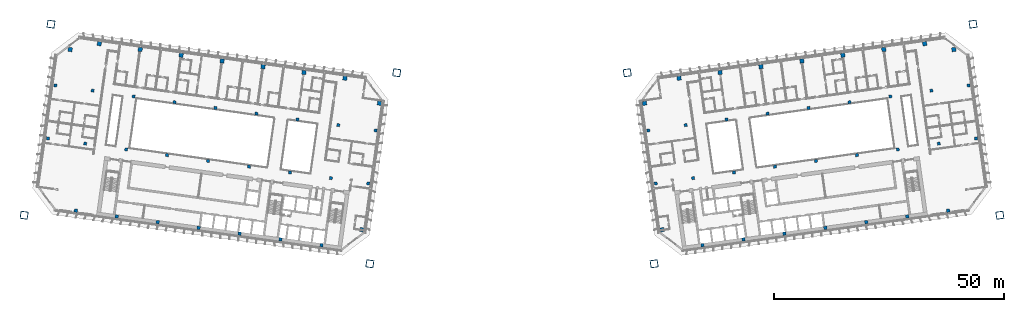
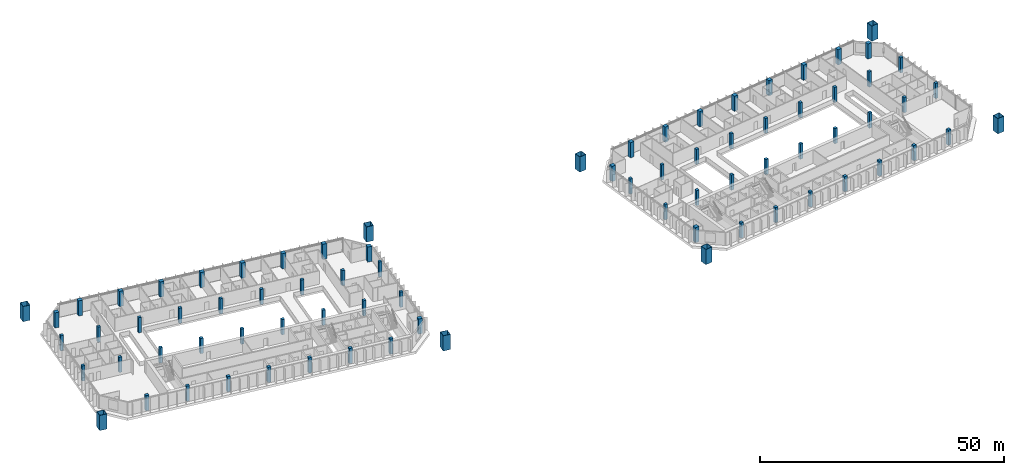
# One storey, part 1 of 25: 78 columns.
"""IFC4 building model written with IfcOpenShell, lengths in metres."""

from ifc_helpers import new_model, si_unit, direction, frame, origin, origin_2d, place, context, subcontext, project, spatial, rectangle, hollow_rectangle, extrude, material, material_profile, profile_set, type_object, element, save


model = new_model("IFC4")

# Units and contexts
model_context = context("Model", 3, precision=1e-05, world=origin(), true_north=direction((0.0, 1.0)))
body_context = subcontext(model_context, "Body", "Model", "MODEL_VIEW")
ifc_project = project(units=[si_unit("LENGTHUNIT", "METRE"), si_unit("AREAUNIT", "SQUARE_METRE"), si_unit("VOLUMEUNIT", "CUBIC_METRE"), si_unit("PLANEANGLEUNIT", "RADIAN"), si_unit("MASSUNIT", "GRAM", prefix="KILO")], contexts=[model_context])

# Site, building, storey
site_placement = place(None, origin())
site = spatial("IfcSite", under=ifc_project, at=site_placement, CompositionType="ELEMENT")
building_placement = place(site_placement, origin())
building = spatial("IfcBuilding", under=site, at=building_placement, Name="Mirante Cascada Hotel Towers", CompositionType="ELEMENT")
storey_placement = place(building_placement, frame((0.0, 0.0, 102.5)))
storey = spatial("IfcBuildingStorey", under=building, at=storey_placement, Name="L22", CompositionType="ELEMENT", Elevation=102.5)

# Columns
ifc_material_1 = material(Name="Steel ASTM A572 Gr 50", Category="steel")
ifc_material_profile_1 = material_profile(ifc_material_1, hollow_rectangle(XDim=1.6, YDim=1.6, WallThickness=0.07, at=origin_2d()), Name="Box column 1600x1600x70 ASTM A572 Gr 50")
ifc_profile_set_1 = profile_set([ifc_material_profile_1], Name="Steel ASTM A572 Gr 50")
column_type_1 = type_object("IfcColumnType", Name="Box column 1600x1600x70 ASTM A572 Gr 50", PredefinedType="COLUMN", material=ifc_profile_set_1)
for number, where, z_axis, x_axis, name in (
    (1, (-25.0968, 18.5173, 0.0), (0.0, 0.0, 1.0), (-0.9902681, 0.1391731, 0.0), "Mega column MC1 T1 L22"),
    (2, (-30.9421, -23.074, 0.0), (0.0, 0.0, 1.0), (-0.9902681, 0.1391731, 0.0), "Mega column MC2 T1 L22"),
    (3, (-100.3572, 29.0944, 0.0), (0.0, 0.0, 1.0), (-0.9902681, 0.1391731, 0.0), "Mega column MC3 T1 L22"),
    (4, (-106.2025, -12.4968, 0.0), (0.0, 0.0, 1.0), (-0.9902681, 0.1391731, 0.0), "Mega column MC4 T1 L22"),
    (5, (25.0968, 18.5173, 0.0), (0.0, 0.0, 1.0), (0.9902681, 0.1391731, 0.0), "Mega column MC1 T2 L22"),
    (6, (30.9421, -23.074, 0.0), (0.0, 0.0, 1.0), (0.9902681, 0.1391731, 0.0), "Mega column MC2 T2 L22"),
    (7, (100.3572, 29.0944, 0.0), (0.0, 0.0, 1.0), (0.9902681, 0.1391731, 0.0), "Mega column MC3 T2 L22"),
    (8, (106.2025, -12.4968, 0.0), (0.0, 0.0, 1.0), (0.9902681, 0.1391731, 0.0), "Mega column MC4 T2 L22"),
):
    element("IfcColumn", number, at=place(storey_placement, frame(where, z_axis=z_axis, x_axis=x_axis)), inside=storey, type_object=column_type_1, Name=name, PredefinedType="COLUMN", context=body_context, shape_type="SweptSolid", body=[
        extrude(hollow_rectangle(XDim=1.6, YDim=1.6, WallThickness=0.07, at=origin_2d()), origin(), (0.0, 0.0, 1.0), 3.8),
    ])
ifc_material_2 = material(Name="Concrete C60/75", Category="concrete")
ifc_material_profile_2 = material_profile(ifc_material_2, rectangle(XDim=0.65, YDim=0.65, at=origin_2d()), Name="RC column 650x650 C60/75")
ifc_profile_set_2 = profile_set([ifc_material_profile_2], Name="Concrete C60/75")
column_type_2 = type_object("IfcColumnType", Name="RC column 650x650 C60/75", PredefinedType="COLUMN", material=ifc_profile_set_2)
for number, where, z_axis, x_axis, name in (
    (9, (-29.6893, 5.9592, 0.0), (0.0, 0.0, 1.0), (-0.9902681, 0.1391731, 0.0), "Column T1 L22 2"),
    (10, (-31.3106, -5.5774, 0.0), (0.0, 0.0, 1.0), (-0.9902681, 0.1391731, 0.0), "Column T1 L22 3"),
    (11, (-37.8095, 7.1004, 0.0), (0.0, 0.0, 1.0), (-0.9902681, 0.1391731, 0.0), "Column T1 L22 6"),
    (12, (-39.4308, -4.4362, 0.0), (0.0, 0.0, 1.0), (-0.9902681, 0.1391731, 0.0), "Column T1 L22 7"),
    (13, (-46.7219, 8.353, 0.0), (0.0, 0.0, 1.0), (-0.9902681, 0.1391731, 0.0), "Column T1 L22 10"),
    (14, (-48.3432, -3.1836, 0.0), (0.0, 0.0, 1.0), (-0.9902681, 0.1391731, 0.0), "Column T1 L22 11"),
    (15, (-55.6343, 9.6055, 0.0), (0.0, 0.0, 1.0), (-0.9902681, 0.1391731, 0.0), "Column T1 L22 14"),
    (16, (-57.2557, -1.9311, 0.0), (0.0, 0.0, 1.0), (-0.9902681, 0.1391731, 0.0), "Column T1 L22 15"),
    (17, (-64.5467, 10.8581, 0.0), (0.0, 0.0, 1.0), (-0.9902681, 0.1391731, 0.0), "Column T1 L22 18"),
    (18, (-66.1681, -0.6785, 0.0), (0.0, 0.0, 1.0), (-0.9902681, 0.1391731, 0.0), "Column T1 L22 19"),
    (19, (-73.4591, 12.1107, 0.0), (0.0, 0.0, 1.0), (-0.9902681, 0.1391731, 0.0), "Column T1 L22 22"),
    (20, (-75.0805, 0.574, 0.0), (0.0, 0.0, 1.0), (-0.9902681, 0.1391731, 0.0), "Column T1 L22 23"),
    (21, (-82.3715, 13.3632, 0.0), (0.0, 0.0, 1.0), (-0.9902681, 0.1391731, 0.0), "Column T1 L22 26"),
    (22, (-83.9929, 1.8266, 0.0), (0.0, 0.0, 1.0), (-0.9902681, 0.1391731, 0.0), "Column T1 L22 27"),
    (23, (-91.2839, 14.6158, 0.0), (0.0, 0.0, 1.0), (-0.9902681, 0.1391731, 0.0), "Column T1 L22 30"),
    (24, (-92.9053, 3.0792, 0.0), (0.0, 0.0, 1.0), (-0.9902681, 0.1391731, 0.0), "Column T1 L22 31"),
    (25, (-99.4041, 15.757, 0.0), (0.0, 0.0, 1.0), (-0.9902681, 0.1391731, 0.0), "Column T1 L22 34"),
    (26, (-101.0255, 4.2204, 0.0), (0.0, 0.0, 1.0), (-0.9902681, 0.1391731, 0.0), "Column T1 L22 35"),
    (27, (29.6893, 5.9592, 0.0), (0.0, 0.0, 1.0), (0.9902681, 0.1391731, 0.0), "Column T2 L22 2"),
    (28, (31.3106, -5.5774, 0.0), (0.0, 0.0, 1.0), (0.9902681, 0.1391731, 0.0), "Column T2 L22 3"),
    (29, (37.8095, 7.1004, 0.0), (0.0, 0.0, 1.0), (0.9902681, 0.1391731, 0.0), "Column T2 L22 6"),
    (30, (39.4308, -4.4362, 0.0), (0.0, 0.0, 1.0), (0.9902681, 0.1391731, 0.0), "Column T2 L22 7"),
    (31, (46.7219, 8.353, 0.0), (0.0, 0.0, 1.0), (0.9902681, 0.1391731, 0.0), "Column T2 L22 10"),
    (32, (48.3432, -3.1836, 0.0), (0.0, 0.0, 1.0), (0.9902681, 0.1391731, 0.0), "Column T2 L22 11"),
    (33, (55.6343, 9.6055, 0.0), (0.0, 0.0, 1.0), (0.9902681, 0.1391731, 0.0), "Column T2 L22 14"),
    (34, (57.2557, -1.9311, 0.0), (0.0, 0.0, 1.0), (0.9902681, 0.1391731, 0.0), "Column T2 L22 15"),
    (35, (64.5467, 10.8581, 0.0), (0.0, 0.0, 1.0), (0.9902681, 0.1391731, 0.0), "Column T2 L22 18"),
    (36, (66.1681, -0.6785, 0.0), (0.0, 0.0, 1.0), (0.9902681, 0.1391731, 0.0), "Column T2 L22 19"),
    (37, (73.4591, 12.1107, 0.0), (0.0, 0.0, 1.0), (0.9902681, 0.1391731, 0.0), "Column T2 L22 22"),
    (38, (75.0805, 0.574, 0.0), (0.0, 0.0, 1.0), (0.9902681, 0.1391731, 0.0), "Column T2 L22 23"),
    (39, (82.3715, 13.3632, 0.0), (0.0, 0.0, 1.0), (0.9902681, 0.1391731, 0.0), "Column T2 L22 26"),
    (40, (83.9929, 1.8266, 0.0), (0.0, 0.0, 1.0), (0.9902681, 0.1391731, 0.0), "Column T2 L22 27"),
    (41, (91.2839, 14.6158, 0.0), (0.0, 0.0, 1.0), (0.9902681, 0.1391731, 0.0), "Column T2 L22 30"),
    (42, (92.9053, 3.0792, 0.0), (0.0, 0.0, 1.0), (0.9902681, 0.1391731, 0.0), "Column T2 L22 31"),
    (43, (99.4041, 15.757, 0.0), (0.0, 0.0, 1.0), (0.9902681, 0.1391731, 0.0), "Column T2 L22 34"),
    (44, (101.0255, 4.2204, 0.0), (0.0, 0.0, 1.0), (0.9902681, 0.1391731, 0.0), "Column T2 L22 35"),
):
    element("IfcColumn", number, at=place(storey_placement, frame(where, z_axis=z_axis, x_axis=x_axis)), inside=storey, type_object=column_type_2, Name=name, PredefinedType="COLUMN", context=body_context, shape_type="SweptSolid", body=[
        extrude(rectangle(XDim=0.65, YDim=0.65, at=origin_2d()), origin(), (0.0, 0.0, 1.0), 3.8),
    ])
ifc_material_3 = material(Name="Concrete C60/75", Category="concrete")
ifc_material_profile_3 = material_profile(ifc_material_3, rectangle(XDim=0.7, YDim=0.7, at=origin_2d()), Name="RC column 700x700 C60/75")
ifc_profile_set_3 = profile_set([ifc_material_profile_3], Name="Concrete C60/75")
column_type_3 = type_object("IfcColumnType", Name="RC column 700x700 C60/75", PredefinedType="COLUMN", material=ifc_profile_set_3)
for number, where, z_axis, x_axis, name in (
    (45, (-41.4802, -19.0179, 0.0), (0.0, 0.0, 1.0), (-0.9902681, 0.1391731, 0.0), "Column T1 L22 8"),
    (46, (-50.3926, -17.7653, 0.0), (0.0, 0.0, 1.0), (-0.9902681, 0.1391731, 0.0), "Column T1 L22 12"),
    (47, (-59.305, -16.5128, 0.0), (0.0, 0.0, 1.0), (-0.9902681, 0.1391731, 0.0), "Column T1 L22 16"),
    (48, (-68.2174, -15.2602, 0.0), (0.0, 0.0, 1.0), (-0.9902681, 0.1391731, 0.0), "Column T1 L22 20"),
    (49, (-77.1298, -14.0077, 0.0), (0.0, 0.0, 1.0), (-0.9902681, 0.1391731, 0.0), "Column T1 L22 24"),
    (50, (-86.0422, -12.7551, 0.0), (0.0, 0.0, 1.0), (-0.9902681, 0.1391731, 0.0), "Column T1 L22 28"),
    (51, (-94.9546, -11.5025, 0.0), (0.0, 0.0, 1.0), (-0.9902681, 0.1391731, 0.0), "Column T1 L22 32"),
    (52, (41.4802, -19.0179, 0.0), (0.0, 0.0, 1.0), (0.9902681, 0.1391731, 0.0), "Column T2 L22 8"),
    (53, (50.3926, -17.7653, 0.0), (0.0, 0.0, 1.0), (0.9902681, 0.1391731, 0.0), "Column T2 L22 12"),
    (54, (59.305, -16.5128, 0.0), (0.0, 0.0, 1.0), (0.9902681, 0.1391731, 0.0), "Column T2 L22 16"),
    (55, (68.2174, -15.2602, 0.0), (0.0, 0.0, 1.0), (0.9902681, 0.1391731, 0.0), "Column T2 L22 20"),
    (56, (77.1298, -14.0077, 0.0), (0.0, 0.0, 1.0), (0.9902681, 0.1391731, 0.0), "Column T2 L22 24"),
    (57, (86.0422, -12.7551, 0.0), (0.0, 0.0, 1.0), (0.9902681, 0.1391731, 0.0), "Column T2 L22 28"),
    (58, (94.9546, -11.5025, 0.0), (0.0, 0.0, 1.0), (0.9902681, 0.1391731, 0.0), "Column T2 L22 32"),
):
    element("IfcColumn", number, at=place(storey_placement, frame(where, z_axis=z_axis, x_axis=x_axis)), inside=storey, type_object=column_type_3, Name=name, PredefinedType="COLUMN", context=body_context, shape_type="SweptSolid", body=[
        extrude(rectangle(XDim=0.7, YDim=0.7, at=origin_2d()), origin(), (0.0, 0.0, 1.0), 3.8),
    ])
ifc_material_4 = material(Name="Concrete C60/75", Category="concrete")
ifc_material_profile_4 = material_profile(ifc_material_4, rectangle(XDim=0.9, YDim=0.9, at=origin_2d()), Name="RC column 900x900 C60/75")
ifc_profile_set_4 = profile_set([ifc_material_profile_4], Name="Concrete C60/75")
column_type_4 = type_object("IfcColumnType", Name="RC column 900x900 C60/75", PredefinedType="COLUMN", material=ifc_profile_set_4)
for number, where, z_axis, x_axis, name in (
    (59, (-28.8577, 11.8761, 0.0), (0.0, 0.0, 1.0), (-0.9902681, 0.1391731, 0.0), "Column T1 L22 1"),
    (60, (-32.7267, -15.6534, 0.0), (0.0, 0.0, 1.0), (-0.9902681, 0.1391731, 0.0), "Column T1 L22 4"),
    (61, (-36.3725, 17.325, 0.0), (0.0, 0.0, 1.0), (-0.9902681, 0.1391731, 0.0), "Column T1 L22 5"),
    (62, (-45.2849, 18.5775, 0.0), (0.0, 0.0, 1.0), (-0.9902681, 0.1391731, 0.0), "Column T1 L22 9"),
    (63, (-54.1973, 19.8301, 0.0), (0.0, 0.0, 1.0), (-0.9902681, 0.1391731, 0.0), "Column T1 L22 13"),
    (64, (-63.1097, 21.0826, 0.0), (0.0, 0.0, 1.0), (-0.9902681, 0.1391731, 0.0), "Column T1 L22 17"),
    (65, (-72.0222, 22.3352, 0.0), (0.0, 0.0, 1.0), (-0.9902681, 0.1391731, 0.0), "Column T1 L22 21"),
    (66, (-80.9346, 23.5877, 0.0), (0.0, 0.0, 1.0), (-0.9902681, 0.1391731, 0.0), "Column T1 L22 25"),
    (67, (-89.847, 24.8403, 0.0), (0.0, 0.0, 1.0), (-0.9902681, 0.1391731, 0.0), "Column T1 L22 29"),
    (68, (-96.1868, 23.5602, 0.0), (0.0, 0.0, 1.0), (-0.9902681, 0.1391731, 0.0), "Column T1 L22 33"),
    (69, (28.8577, 11.8761, 0.0), (0.0, 0.0, 1.0), (0.9902681, 0.1391731, 0.0), "Column T2 L22 1"),
    (70, (32.7267, -15.6534, 0.0), (0.0, 0.0, 1.0), (0.9902681, 0.1391731, 0.0), "Column T2 L22 4"),
    (71, (36.3725, 17.325, 0.0), (0.0, 0.0, 1.0), (0.9902681, 0.1391731, 0.0), "Column T2 L22 5"),
    (72, (45.2849, 18.5775, 0.0), (0.0, 0.0, 1.0), (0.9902681, 0.1391731, 0.0), "Column T2 L22 9"),
    (73, (54.1973, 19.8301, 0.0), (0.0, 0.0, 1.0), (0.9902681, 0.1391731, 0.0), "Column T2 L22 13"),
    (74, (63.1097, 21.0826, 0.0), (0.0, 0.0, 1.0), (0.9902681, 0.1391731, 0.0), "Column T2 L22 17"),
    (75, (72.0222, 22.3352, 0.0), (0.0, 0.0, 1.0), (0.9902681, 0.1391731, 0.0), "Column T2 L22 21"),
    (76, (80.9346, 23.5877, 0.0), (0.0, 0.0, 1.0), (0.9902681, 0.1391731, 0.0), "Column T2 L22 25"),
    (77, (89.847, 24.8403, 0.0), (0.0, 0.0, 1.0), (0.9902681, 0.1391731, 0.0), "Column T2 L22 29"),
    (78, (96.1868, 23.5602, 0.0), (0.0, 0.0, 1.0), (0.9902681, 0.1391731, 0.0), "Column T2 L22 33"),
):
    element("IfcColumn", number, at=place(storey_placement, frame(where, z_axis=z_axis, x_axis=x_axis)), inside=storey, type_object=column_type_4, Name=name, PredefinedType="COLUMN", context=body_context, shape_type="SweptSolid", body=[
        extrude(rectangle(XDim=0.9, YDim=0.9, at=origin_2d()), origin(), (0.0, 0.0, 1.0), 3.8),
    ])

save(model, "model.ifc")
